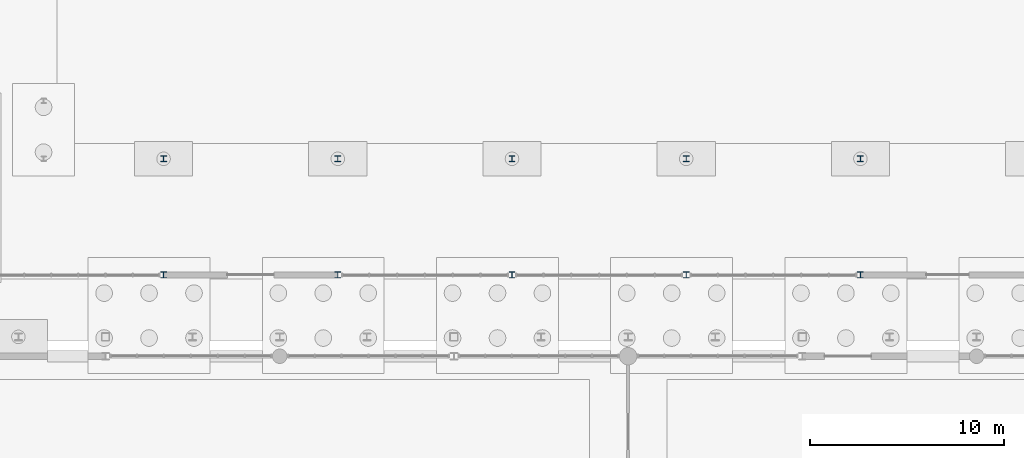
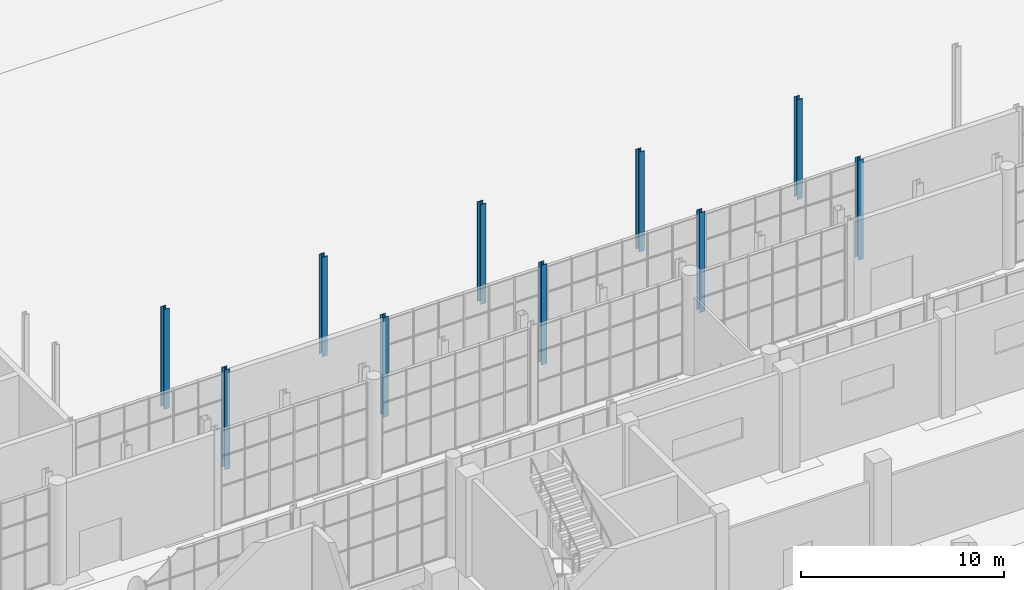
# One storey, part 21 of 131: 10 columns.
"""IFC4 building model written with IfcOpenShell, lengths in metres."""

import ifcopenshell
import ifcopenshell.guid

model = None  # the IFC model being written
_history = None  # IfcOwnerHistory: only IFC2X3 demands one
_inside = {}  # id of a spatial element -> (the spatial element, [elements in it])
_under = {}  # id of a project, library or spatial element -> (it, [spatial elements below it])
_declared = {}  # id of a project -> (the project, [libraries it declares])
_typed = {}  # id of a type object -> (the type object, [elements of that type])
_made_of = {}  # id of a material, layer set ... -> (it, [elements and type objects made of it])


def new_model(schema):
    """Start an empty IFC model of exactly this schema.

    Asked for "IFC4X3", IfcOpenShell would pick the latest addendum, in which some entities
    have other attributes; the version numbers below select the first issue.
    IFC2X3 requires an IfcOwnerHistory on every rooted entity: one is made here for all.
    """
    global model, _history
    if schema == "IFC4X3":
        model = ifcopenshell.file(schema_version=(4, 3, 0, 0))
    else:
        model = ifcopenshell.file(schema=schema)
    _inside.clear()
    _under.clear()
    _declared.clear()
    _typed.clear()
    _made_of.clear()
    _history = None
    if model.schema == "IFC2X3":
        org = make("IfcOrganization", Name="unknown")
        user = make(
            "IfcPersonAndOrganization",
            ThePerson=make("IfcPerson", FamilyName="unknown"),
            TheOrganization=org,
        )
        app = make(
            "IfcApplication",
            ApplicationDeveloper=org,
            Version="unknown",
            ApplicationFullName="unknown",
            ApplicationIdentifier="unknown",
        )
        _history = make(
            "IfcOwnerHistory",
            OwningUser=user,
            OwningApplication=app,
            ChangeAction="ADDED",
            CreationDate=0,
        )
    return model


def make(cls, **values):
    """One entity of the class cls with the attributes given. An attribute that is None is left unset."""
    return model.create_entity(
        cls, **{name: value for name, value in values.items() if value is not None}
    )


def rooted(cls, **values):
    """An entity with a GlobalId (a new one), such as an element, a storey or a relation."""
    return make(cls, GlobalId=ifcopenshell.guid.new(), OwnerHistory=_history, **values)


def si_unit(unit_type, name, prefix=None):
    """IfcSIUnit, for example si_unit("LENGTHUNIT", "METRE", prefix="MILLI")."""
    return make("IfcSIUnit", UnitType=unit_type, Prefix=prefix, Name=name)


def assignment(units):
    """IfcUnitAssignment: the units of a project."""
    return None if units is None else make("IfcUnitAssignment", Units=units)


def point(xyz):
    """IfcCartesianPoint."""
    return None if xyz is None else make("IfcCartesianPoint", Coordinates=xyz)


def direction(xyz):
    """IfcDirection."""
    return None if xyz is None else make("IfcDirection", DirectionRatios=xyz)


def frame(location, z_axis=None, x_axis=None):
    """IfcAxis2Placement3D, a coordinate frame: its origin and axes. An axis left out is left unset."""
    return make(
        "IfcAxis2Placement3D",
        Location=point(location),
        Axis=direction(z_axis),
        RefDirection=direction(x_axis),
    )


def frame_2d(location, x_axis=None):
    """IfcAxis2Placement2D, a coordinate frame in the plane: its origin and x axis."""
    return make(
        "IfcAxis2Placement2D", Location=point(location), RefDirection=direction(x_axis)
    )


def origin():
    """The frame at (0, 0, 0) with its axes left unset."""
    return frame((0.0, 0.0, 0.0))


def origin_2d():
    """The frame at (0, 0) in the plane with its x axis left unset."""
    return frame_2d((0.0, 0.0))


def place(relative_to, where):
    """IfcLocalPlacement: puts the frame where relative to a parent placement (None: the world)."""
    return make(
        "IfcLocalPlacement", PlacementRelTo=relative_to, RelativePlacement=where
    )


def context(
    kind, dimensions, precision=None, world=None, true_north=None, identifier=None
):
    """IfcGeometricRepresentationContext, for example the 3D "Model" context."""
    return make(
        "IfcGeometricRepresentationContext",
        ContextIdentifier=identifier,
        ContextType=kind,
        CoordinateSpaceDimension=dimensions,
        Precision=precision,
        WorldCoordinateSystem=world,
        TrueNorth=true_north,
    )


def subcontext(parent, identifier, kind, view, scale=None):
    """IfcGeometricRepresentationSubContext, for example "Body" below "Model"."""
    return make(
        "IfcGeometricRepresentationSubContext",
        ContextIdentifier=identifier,
        ContextType=kind,
        ParentContext=parent,
        TargetScale=scale,
        TargetView=view,
    )


def project(units=None, contexts=None):
    """IfcProject with its units and contexts."""
    return rooted(
        "IfcProject",
        Name="project",
        RepresentationContexts=contexts,
        UnitsInContext=assignment(units),
    )


def spatial(cls, under=None, at=None, **own):
    """A site, building, storey or space (cls), placed at a placement, below another one or the project."""
    s = rooted(cls, ObjectPlacement=at, **own)
    if under is not None:
        _under.setdefault(under.id(), (under, []))[1].append(s)
    return s


def profile(cls, at=None, kind="AREA", **sizes):
    """A parametric profile (cls). Its sizes go by their IFC names, for example OverallWidth=200.0."""
    return make(cls, ProfileType=kind, Position=at, **sizes)


def i_section(**sizes):
    """IfcIShapeProfileDef."""
    return profile("IfcIShapeProfileDef", **sizes)


def extrude(swept, where, along, depth):
    """IfcExtrudedAreaSolid: the profile swept, set in the frame where, extruded along a direction by depth."""
    return make(
        "IfcExtrudedAreaSolid",
        SweptArea=swept,
        Position=where,
        ExtrudedDirection=direction(along),
        Depth=depth,
    )


def shape(context_of_items, identifier, shape_type, items):
    """IfcShapeRepresentation: the items that make up one representation, for example the "Body"."""
    return make(
        "IfcShapeRepresentation",
        ContextOfItems=context_of_items,
        RepresentationIdentifier=identifier,
        RepresentationType=shape_type,
        Items=items,
    )


def material(Name=None, Category=None):
    """IfcMaterial."""
    return make("IfcMaterial", Name=Name, Category=Category)


def material_profile(
    of_material, cross_section, Name=None, Category=None, Priority=None
):
    """IfcMaterialProfile: a cross section and its material."""
    return make(
        "IfcMaterialProfile",
        Name=Name,
        Material=of_material,
        Profile=cross_section,
        Priority=Priority,
        Category=Category,
    )


def profile_set(profiles, Name=None, composite=None):
    """IfcMaterialProfileSet."""
    return make(
        "IfcMaterialProfileSet",
        Name=Name,
        MaterialProfiles=profiles,
        CompositeProfile=composite,
    )


def made_of(thing, what):
    """Note that an element or type object is made of a material, layer set ...; save() writes the relation."""
    if what is not None:
        _made_of.setdefault(what.id(), (what, []))[1].append(thing)
    return thing


def type_object(cls, material=None, **own):
    """A type object (cls), such as IfcWallType, which elements share."""
    return made_of(rooted(cls, **own), material)


def element(
    cls,
    number,
    at=None,
    inside=None,
    cuts=None,
    type_object=None,
    material=None,
    context=None,
    identifier="Body",
    shape_type=None,
    held_by="IfcProductDefinitionShape",
    body=None,
    shapes=None,
    **own,
):
    """One element of the class cls, such as IfcWall. Its Tag is "e" and its number.

    at: its placement. inside: the storey or other place that contains it. cuts: it is an
    opening in that element (IfcRelVoidsElement). A single representation is given by context,
    identifier, shape_type and body (its items); several are given by shapes. held_by: the class
    of the entity that holds the representations. save() writes the other relations.
    """
    e = rooted(cls, Tag="e%d" % number, ObjectPlacement=at, **own)
    if body is not None:
        shapes = [shape(context, identifier, shape_type, body)]
    if shapes is not None:
        e.Representation = make(held_by, Representations=shapes)
    if inside is not None:
        _inside.setdefault(inside.id(), (inside, []))[1].append(e)
    if cuts is not None:
        rooted(
            "IfcRelVoidsElement", RelatingBuildingElement=cuts, RelatedOpeningElement=e
        )
    if type_object is not None:
        _typed.setdefault(type_object.id(), (type_object, []))[1].append(e)
    return made_of(e, material)


def aggregate(whole, parts):
    """IfcRelAggregates: a whole, such as a stair, and the parts it consists of."""
    return rooted("IfcRelAggregates", RelatingObject=whole, RelatedObjects=parts)


def save(model, path):
    """Write the relations noted so far, then the file.

    IfcRelAggregates (storeys below a building ...), IfcRelContainedInSpatialStructure (elements
    in a storey), IfcRelDefinesByType, IfcRelAssociatesMaterial and IfcRelDeclares: one each for
    every whole, place, type object, material and project.
    """
    for whole, parts in _under.values():
        aggregate(whole, parts)
    for where, things in _inside.values():
        rooted(
            "IfcRelContainedInSpatialStructure",
            RelatedElements=things,
            RelatingStructure=where,
        )
    for kind, things in _typed.values():
        rooted("IfcRelDefinesByType", RelatedObjects=things, RelatingType=kind)
    for what, things in _made_of.values():
        rooted("IfcRelAssociatesMaterial", RelatedObjects=things, RelatingMaterial=what)
    for by, libraries in _declared.values():
        rooted("IfcRelDeclares", RelatingContext=by, RelatedDefinitions=libraries)
    model.write(path)


model = new_model("IFC4")

# Units and contexts
model_context = context("Model", 3, precision=1e-05, world=origin(), true_north=direction((0.0, 1.0)))
body_context = subcontext(model_context, "Body", "Model", "MODEL_VIEW")
ifc_project = project(units=[si_unit("LENGTHUNIT", "METRE"), si_unit("AREAUNIT", "SQUARE_METRE"), si_unit("VOLUMEUNIT", "CUBIC_METRE"), si_unit("PLANEANGLEUNIT", "RADIAN"), si_unit("MASSUNIT", "GRAM", prefix="KILO")], contexts=[model_context])

# Site, building, storey
site_placement = place(None, origin())
site = spatial("IfcSite", under=ifc_project, at=site_placement, CompositionType="ELEMENT")
building_placement = place(site_placement, origin())
building = spatial("IfcBuilding", under=site, at=building_placement, Name="Cazmaro Siding Exhibition Halls", CompositionType="ELEMENT")
storey_placement = place(building_placement, origin())
storey = spatial("IfcBuildingStorey", under=building, at=storey_placement, Name="L00", CompositionType="ELEMENT", Elevation=0.0)

# Columns
ifc_material_1 = material(Name="Steel ASTM A992 Grade 50", Category="steel")
ifc_material_profile_1 = material_profile(ifc_material_1, i_section(OverallWidth=0.304931640625, OverallDepth=0.306884765625, WebThickness=0.010009765625, FlangeThickness=0.014892578125, at=origin_2d()), Name="W12X65")
ifc_profile_set_1 = profile_set([ifc_material_profile_1], Name="Steel ASTM A992 Grade 50")
column_type_1 = type_object("IfcColumnType", Name="C-06", PredefinedType="COLUMN", material=ifc_profile_set_1)
for number, where, z_axis, x_axis, name in (
    (1, (66.0, 67.199951171875, 0.0), (0.0, 0.0, 1.0), (1.0, 0.0, 0.0), "Column C-06 COL-0275"),
    (2, (75.0, 67.199951171875, 0.0), (0.0, 0.0, 1.0), (1.0, 0.0, 0.0), "Column C-06 COL-0285"),
    (3, (84.0, 67.199951171875, 0.0), (0.0, 0.0, 1.0), (1.0, 0.0, 0.0), "Column C-06 COL-0295"),
    (4, (93.0, 67.199951171875, 0.0), (0.0, 0.0, 1.0), (1.0, 0.0, 0.0), "Column C-06 COL-0305"),
    (5, (102.0, 67.199951171875, 0.0), (0.0, 0.0, 1.0), (1.0, 0.0, 0.0), "Column C-06 COL-0315"),
):
    element("IfcColumn", number, at=place(storey_placement, frame(where, z_axis=z_axis, x_axis=x_axis)), inside=storey, type_object=column_type_1, Name=name, PredefinedType="COLUMN", context=body_context, shape_type="SweptSolid", body=[
        extrude(i_section(OverallWidth=0.304931640625, OverallDepth=0.306884765625, WebThickness=0.010009765625, FlangeThickness=0.014892578125, at=origin_2d()), origin(), (0.0, 0.0, 1.0), 6.0),
    ])
ifc_material_2 = material(Name="Steel ASTM A992 Grade 50", Category="steel")
ifc_material_profile_2 = material_profile(ifc_material_2, i_section(OverallWidth=0.30908203125, OverallDepth=0.320068359375, WebThickness=0.013916015625, FlangeThickness=0.02294921875, at=origin_2d()), Name="W12X96")
ifc_profile_set_2 = profile_set([ifc_material_profile_2], Name="Steel ASTM A992 Grade 50")
column_type_2 = type_object("IfcColumnType", Name="C-13", PredefinedType="COLUMN", material=ifc_profile_set_2)
for number, where, z_axis, x_axis, name in (
    (6, (66.0, 73.199951171875, 0.0), (0.0, 0.0, 1.0), (1.0, 0.0, 0.0), "Column C-13 COL-0278"),
    (7, (75.0, 73.199951171875, 0.0), (0.0, 0.0, 1.0), (1.0, 0.0, 0.0), "Column C-13 COL-0288"),
    (8, (84.0, 73.199951171875, 0.0), (0.0, 0.0, 1.0), (1.0, 0.0, 0.0), "Column C-13 COL-0298"),
    (9, (93.0, 73.199951171875, 0.0), (0.0, 0.0, 1.0), (1.0, 0.0, 0.0), "Column C-13 COL-0308"),
    (10, (102.0, 73.199951171875, 0.0), (0.0, 0.0, 1.0), (1.0, 0.0, 0.0), "Column C-13 COL-0318"),
):
    element("IfcColumn", number, at=place(storey_placement, frame(where, z_axis=z_axis, x_axis=x_axis)), inside=storey, type_object=column_type_2, Name=name, PredefinedType="COLUMN", context=body_context, shape_type="SweptSolid", body=[
        extrude(i_section(OverallWidth=0.30908203125, OverallDepth=0.320068359375, WebThickness=0.013916015625, FlangeThickness=0.02294921875, at=origin_2d()), origin(), (0.0, 0.0, 1.0), 6.0),
    ])

save(model, "model.ifc")
